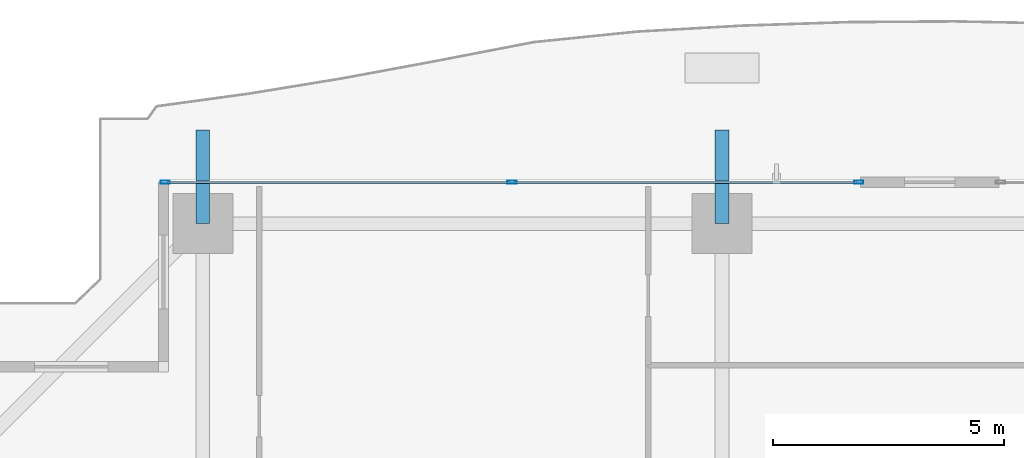
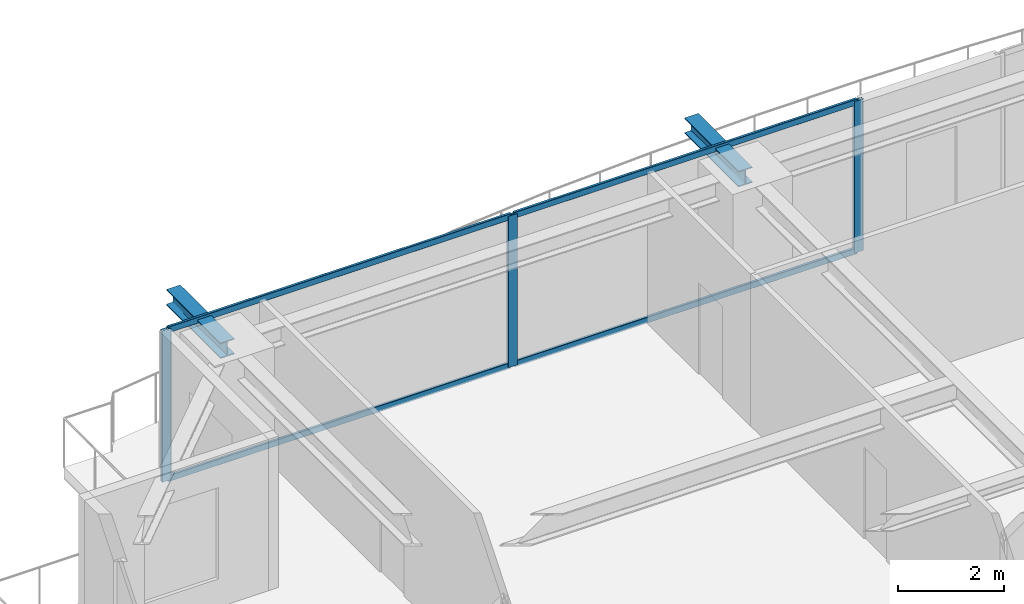
# One storey, part 21 of 39: 7 members, 2 beams, 1 element without a shape of its own.
"""IFC4 building model written with IfcOpenShell, lengths in metres."""

from ifc_helpers import new_model, si_unit, direction, frame, origin, origin_2d, place, context, subcontext, project, spatial, hollow_rectangle, i_section, extrude, source, transform, mapped, material, layer, layer_set, material_profile, profile_set, type_object, element, aggregate, save


model = new_model("IFC4")

# Units and contexts
model_context = context("Model", 3, precision=1e-05, world=origin(), true_north=direction((0.0, 1.0)))
body_context = subcontext(model_context, "Body", "Model", "MODEL_VIEW")
ifc_project = project(units=[si_unit("LENGTHUNIT", "METRE"), si_unit("AREAUNIT", "SQUARE_METRE"), si_unit("VOLUMEUNIT", "CUBIC_METRE"), si_unit("PLANEANGLEUNIT", "RADIAN"), si_unit("MASSUNIT", "GRAM", prefix="KILO")], contexts=[model_context])

# Site, building, storey
site_placement = place(None, origin())
site = spatial("IfcSite", under=ifc_project, at=site_placement, CompositionType="ELEMENT")
building_placement = place(site_placement, origin())
building = spatial("IfcBuilding", under=site, at=building_placement, Name="Serunith Strait Residences", CompositionType="ELEMENT")
storey_placement = place(building_placement, frame((0.0, 0.0, 168.89990234375)))
storey = spatial("IfcBuildingStorey", under=building, at=storey_placement, Name="L42", CompositionType="ELEMENT", Elevation=168.89990234375)

# Beams
ifc_material_1 = material(Name="Steel S355J2", Category="steel")
ifc_material_profile_1 = material_profile(ifc_material_1, i_section(OverallWidth=0.300048828125, OverallDepth=0.360107421875, WebThickness=0.012451171875, FlangeThickness=0.0224609375, FilletRadius=0.027099609375, at=origin_2d()), Name="HEB 360")
ifc_profile_set_1 = profile_set([ifc_material_profile_1], Name="Steel S355J2")
beam_type = type_object("IfcBeamType", Name="BM-HEB360", PredefinedType="BEAM", material=ifc_profile_set_1)
shared_shape_1 = source(origin(), body_context, "Body", "SweptSolid", [
    extrude(i_section(OverallWidth=0.300048828125, OverallDepth=0.360107421875, WebThickness=0.012451171875, FlangeThickness=0.0224609375, FilletRadius=0.027099609375, at=origin_2d()), origin(), (0.0, 0.0, 1.0), 2.02978515625),
])
for number, where, z_axis, x_axis, name in (
    (1, (16.64990234375, 48.10009765625, 3.277099609375), (0.0, 1.0, 0.0), (-1.0, 0.0, 0.0), "L43 Cantilevered Balcony Rib TC-N1"),
    (2, (27.89990234375, 48.10009765625, 3.277099609375), (0.0, 1.0, 0.0), (-1.0, 0.0, 0.0), "L43 Cantilevered Balcony Rib TC-N2"),
):
    element("IfcBeam", number, at=place(storey_placement, frame(where, z_axis=z_axis, x_axis=x_axis)), inside=storey, type_object=beam_type, Name=name, PredefinedType="BEAM", context=body_context, shape_type="MappedRepresentation", body=[
        mapped(shared_shape_1, transform((0.0, 0.0, 0.0), scale=1.0)),
    ])

# Curtain wall, members
ifc_material_2 = material(Name="Pale-Champagne Anodised Aluminium", Category="aluminium")
ifc_layer = layer(ifc_material_2, 0.199951171875, Name="Pale-Champagne Anodised Aluminium")
ifc_layer_set = layer_set([ifc_layer], Name="Pale-Champagne Anodised Aluminium")
curtain_wall_type = type_object("IfcCurtainWallType", Name="CW-SYS2", PredefinedType="NOTDEFINED", material=ifc_layer_set)
curtain_wall_placement = place(storey_placement, origin())
curtain_wall = element("IfcCurtainWall", 3, at=curtain_wall_placement, inside=storey, type_object=curtain_wall_type, Name="L42 N Unitised Fritted Curtain Wall", PredefinedType="NOTDEFINED")
ifc_material_profile_2 = material_profile(ifc_material_2, hollow_rectangle(XDim=0.070068359375, YDim=0.199951171875, WallThickness=0.00390625, InnerFilletRadius=0.006103515625, OuterFilletRadius=0.010009765625, at=origin_2d()), Name="ALU 200x70x4")
ifc_profile_set_2 = profile_set([ifc_material_profile_2], Name="Pale-Champagne Anodised Aluminium")
member_type_1 = type_object("IfcMemberType", Name="CW-SYS2-MULL", PredefinedType="MULLION", material=ifc_profile_set_2)
shared_shape_2 = source(origin(), body_context, "Body", "SweptSolid", [
    extrude(hollow_rectangle(XDim=0.070068359375, YDim=0.199951171875, WallThickness=0.00390625, InnerFilletRadius=0.006103515625, OuterFilletRadius=0.010009765625, at=origin_2d()), origin(), (0.0, 0.0, 1.0), 3.47509765625),
])
member_1_placement = place(storey_placement, frame((30.864990234375, 49.0, 0.0), z_axis=(0.0, 0.0, 1.0), x_axis=(0.0, -1.0, 0.0)))
member_1 = element("IfcMember", 4, at=member_1_placement, type_object=member_type_1, Name="CW-2 mullion 1", PredefinedType="MULLION", context=body_context, shape_type="MappedRepresentation", body=[
    mapped(shared_shape_2, transform((0.0, 0.0, 0.0), scale=1.0)),
])
member_2_placement = place(storey_placement, frame((23.35009765625, 49.0, 0.0), z_axis=(0.0, 0.0, 1.0), x_axis=(0.0, -1.0, 0.0)))
member_2 = element("IfcMember", 5, at=member_2_placement, type_object=member_type_1, Name="CW-2 mullion 2", PredefinedType="MULLION", context=body_context, shape_type="MappedRepresentation", body=[
    mapped(shared_shape_2, transform((0.0, 0.0, 0.0), scale=1.0)),
])
member_3_placement = place(storey_placement, frame((15.8349609375, 49.0, 0.0), z_axis=(0.0, 0.0, 1.0), x_axis=(0.0, -1.0, 0.0)))
member_3 = element("IfcMember", 6, at=member_3_placement, type_object=member_type_1, Name="CW-2 mullion 3", PredefinedType="MULLION", context=body_context, shape_type="MappedRepresentation", body=[
    mapped(shared_shape_2, transform((0.0, 0.0, 0.0), scale=1.0)),
])
ifc_material_profile_3 = material_profile(ifc_material_2, hollow_rectangle(XDim=0.06005859375, YDim=0.139892578125, WallThickness=0.00341796875, InnerFilletRadius=0.00537109375, OuterFilletRadius=0.0087890625, at=origin_2d()), Name="ALU 140x60x3.5")
ifc_profile_set_3 = profile_set([ifc_material_profile_3], Name="Pale-Champagne Anodised Aluminium")
member_type_2 = type_object("IfcMemberType", Name="CW-SYS2-TRAN", PredefinedType="USERDEFINED", material=ifc_profile_set_3)
shared_shape_3 = source(origin(), body_context, "Body", "SweptSolid", [
    extrude(hollow_rectangle(XDim=0.06005859375, YDim=0.139892578125, WallThickness=0.00341796875, InnerFilletRadius=0.00537109375, OuterFilletRadius=0.0087890625, at=origin_2d()), origin(), (0.0, 0.0, 1.0), 7.44482421875),
])
member_4_placement = place(storey_placement, frame((23.31494140625, 49.0, 0.030029296875), z_axis=(-1.0, 0.0, 0.0), x_axis=(0.0, -1.0, 0.0)))
member_4 = element("IfcMember", 7, at=member_4_placement, type_object=member_type_2, Name="CW-2 transom 2.1", ObjectType="TRANSOM", PredefinedType="USERDEFINED", context=body_context, shape_type="MappedRepresentation", body=[
    mapped(shared_shape_3, transform((0.0, 0.0, 0.0), scale=1.0)),
])
member_5_placement = place(storey_placement, frame((23.31494140625, 49.0, 3.445068359375), z_axis=(-1.0, 0.0, 0.0), x_axis=(0.0, -1.0, 0.0)))
member_5 = element("IfcMember", 8, at=member_5_placement, type_object=member_type_2, Name="CW-2 transom 2.2", ObjectType="TRANSOM", PredefinedType="USERDEFINED", context=body_context, shape_type="MappedRepresentation", body=[
    mapped(shared_shape_3, transform((0.0, 0.0, 0.0), scale=1.0)),
])
shared_shape_4 = source(origin(), body_context, "Body", "SweptSolid", [
    extrude(hollow_rectangle(XDim=0.06005859375, YDim=0.139892578125, WallThickness=0.00341796875, InnerFilletRadius=0.00537109375, OuterFilletRadius=0.0087890625, at=origin_2d()), origin(), (0.0, 0.0, 1.0), 7.445068359375),
])
member_6_placement = place(storey_placement, frame((30.830078125, 49.0, 0.030029296875), z_axis=(-1.0, 0.0, 0.0), x_axis=(0.0, -1.0, 0.0)))
member_6 = element("IfcMember", 9, at=member_6_placement, type_object=member_type_2, Name="CW-2 transom 1.1", ObjectType="TRANSOM", PredefinedType="USERDEFINED", context=body_context, shape_type="MappedRepresentation", body=[
    mapped(shared_shape_4, transform((0.0, 0.0, 0.0), scale=1.0)),
])
member_7_placement = place(storey_placement, frame((30.830078125, 49.0, 3.445068359375), z_axis=(-1.0, 0.0, 0.0), x_axis=(0.0, -1.0, 0.0)))
member_7 = element("IfcMember", 10, at=member_7_placement, type_object=member_type_2, Name="CW-2 transom 1.2", ObjectType="TRANSOM", PredefinedType="USERDEFINED", context=body_context, shape_type="MappedRepresentation", body=[
    mapped(shared_shape_4, transform((0.0, 0.0, 0.0), scale=1.0)),
])
aggregate(curtain_wall, [member_1, member_2, member_3, member_6, member_7, member_4, member_5])

save(model, "model.ifc")
